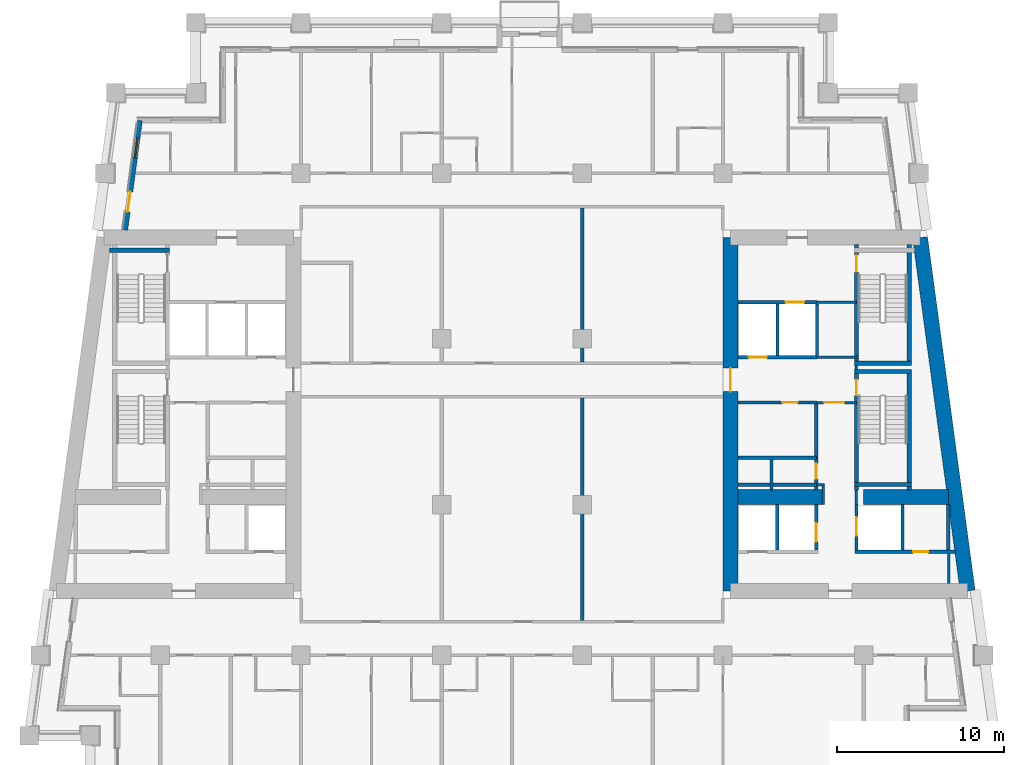
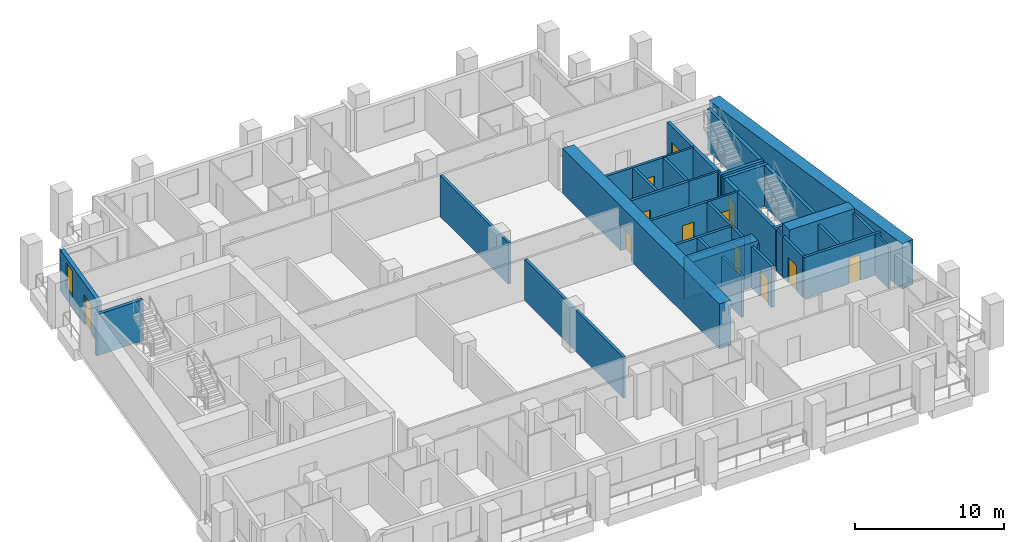
# One storey, part 5 of 12: 38 walls, 12 doors, 1 window, 13 openings.
"""IFC4 building model written with IfcOpenShell, lengths in metres."""

from ifc_helpers import new_model, si_unit, direction, frame, frame_2d, origin, place, context, subcontext, project, spatial, rectangle, extrude, material, layer, layer_set, type_object, element, fill, save


model = new_model("IFC4")

# Units and contexts
model_context = context("Model", 3, precision=1e-05, world=origin(), true_north=direction((0.0, 1.0)))
body_context = subcontext(model_context, "Body", "Model", "MODEL_VIEW")
ifc_project = project(units=[si_unit("LENGTHUNIT", "METRE"), si_unit("AREAUNIT", "SQUARE_METRE"), si_unit("VOLUMEUNIT", "CUBIC_METRE"), si_unit("PLANEANGLEUNIT", "RADIAN"), si_unit("MASSUNIT", "GRAM", prefix="KILO")], contexts=[model_context])

# Site, building, storey
site_placement = place(None, origin())
site = spatial("IfcSite", under=ifc_project, at=site_placement, CompositionType="ELEMENT")
building_placement = place(site_placement, origin())
building = spatial("IfcBuilding", under=site, at=building_placement, Name="Candeia Pilgrim Tower and Theatre", CompositionType="ELEMENT")
storey_placement = place(building_placement, frame((0.0, 0.0, 166.300048828125)))
storey = spatial("IfcBuildingStorey", under=building, at=storey_placement, Name="L39", CompositionType="ELEMENT", Elevation=166.300048828125)

# Wall
ifc_material_1 = material(Name="Concrete C60/75", Category="concrete")
ifc_layer_1 = layer(ifc_material_1, 0.89990234375)
ifc_layer_set_1 = layer_set([ifc_layer_1], Name="Core wall 900 C60/75")
wall_type_1 = type_object("IfcWallType", Name="Core wall 900 C60/75", PredefinedType="SHEAR", material=ifc_layer_set_1)
wall_1_placement = place(storey_placement, frame((137.775634765625, 131.949951171875, 0.0), z_axis=(0.0, 0.0, 1.0), x_axis=(0.133421759112, -0.991059349482, 0.0)))
element("IfcWall", 1, at=wall_1_placement, inside=storey, type_object=wall_type_1, Name="Core wall E2", PredefinedType="SHEAR", context=body_context, shape_type="SweptSolid", body=[
    extrude(rectangle(XDim=21.290283203125, YDim=0.89990234375, at=frame_2d((10.64501953125, 0.0))), origin(), (0.0, 0.0, 1.0), 3.699951171875),
])

# Wall, opening, door
wall_2_placement = place(storey_placement, frame((126.449951171875, 110.85009765625, 0.0), z_axis=(0.0, 0.0, 1.0), x_axis=(0.0, 1.0, 0.0)))
wall_2 = element("IfcWall", 2, at=wall_2_placement, inside=storey, type_object=wall_type_1, Name="Core wall E4", PredefinedType="SHEAR", context=body_context, shape_type="SweptSolid", body=[
    extrude(rectangle(XDim=21.099853515625, YDim=0.89990234375, at=frame_2d((10.5498046875, 0.0))), origin(), (0.0, 0.0, 1.0), 3.699951171875),
])
opening_1_placement = place(wall_2_placement, frame((11.89990234375, 0.0, 0.0)))
opening_1 = element("IfcOpeningElement", 3, at=opening_1_placement, cuts=wall_2, Name="Opening L39-D057", PredefinedType="OPENING", context=body_context, shape_type="SweptSolid", body=[
    extrude(rectangle(XDim=1.39990234375, YDim=2.10009765625, at=frame_2d((0.699951171875, 1.050048828125))), frame((0.0, 0.4599609375, 0.0), z_axis=(0.0, -1.0, 0.0), x_axis=(1.0, 0.0, 0.0)), (0.0, 0.0, 1.0), 0.919921875),
])
ifc_material_2 = material(Name="Steel fire door set", Category="steel")
door_type_1 = type_object("IfcDoorType", Name="D-1400-FD60", OperationType="NOTDEFINED", PredefinedType="DOOR", material=ifc_material_2)
door_1_placement = place(opening_1_placement, origin())
door_1 = element("IfcDoor", 4, at=door_1_placement, inside=storey, type_object=door_type_1, Name="Door L39-D057", OperationType="SINGLE_SWING_RIGHT", OverallHeight=2.10009765625, OverallWidth=1.39990234375, PredefinedType="DOOR", context=body_context, shape_type="SweptSolid", body=[
    extrude(rectangle(XDim=1.39990234375, YDim=2.10009765625, at=frame_2d((0.699951171875, 1.050048828125))), frame((0.0, 0.02490234375, 0.0), z_axis=(0.0, -1.0, 0.0), x_axis=(1.0, 0.0, 0.0)), (0.0, 0.0, 1.0), 0.050048828125),
])
fill(opening_1, door_1)

# Walls
wall_3_placement = place(storey_placement, frame((126.89990234375, 116.449951171875, 0.0), z_axis=(0.0, 0.0, 1.0), x_axis=(1.0, 0.0, 0.0)))
element("IfcWall", 5, at=wall_3_placement, inside=storey, type_object=wall_type_1, Name="Core wall E5", PredefinedType="SHEAR", context=body_context, shape_type="SweptSolid", body=[
    extrude(rectangle(XDim=5.10009765625, YDim=0.89990234375, at=frame_2d((2.550048828125, 0.0))), origin(), (0.0, 0.0, 1.0), 3.699951171875),
])
wall_4_placement = place(storey_placement, frame((134.39990234375, 116.449951171875, 0.0), z_axis=(0.0, 0.0, 1.0), x_axis=(1.0, 0.0, 0.0)))
element("IfcWall", 6, at=wall_4_placement, inside=storey, type_object=wall_type_1, Name="Core wall E6", PredefinedType="SHEAR", context=body_context, shape_type="SweptSolid", body=[
    extrude(rectangle(XDim=5.076904296875, YDim=0.89990234375, at=frame_2d((2.53857421875, 0.0))), origin(), (0.0, 0.0, 1.0), 3.699951171875),
])

# Wall, openings, door, window
ifc_material_3 = material(Name="Ceramic block masonry", Category="masonry")
ifc_layer_2 = layer(ifc_material_3, 0.300048828125)
ifc_layer_set_2 = layer_set([ifc_layer_2], Name="EW1 glazing-line wall 300")
wall_type_2 = type_object("IfcWallType", Name="EW1 glazing-line wall 300", PredefinedType="SOLIDWALL", material=ifc_layer_set_2)
wall_5_placement = place(storey_placement, frame((91.177490234375, 138.949951171875, 0.0), z_axis=(0.0, 0.0, 1.0), x_axis=(-0.133426664613, -0.991058689065, 0.0)))
wall_5 = element("IfcWall", 7, at=wall_5_placement, inside=storey, type_object=wall_type_2, Name="External wall L39-9.0", PredefinedType="SOLIDWALL", context=body_context, shape_type="SweptSolid", body=[
    extrude(rectangle(XDim=6.609130859375, YDim=0.300048828125, at=frame_2d((3.3046875, 0.0))), origin(), (0.0, 0.0, 1.0), 3.3798828125),
])
opening_2_placement = place(wall_5_placement, frame((1.039306640625, 0.0, 0.89990234375)))
opening_2 = element("IfcOpeningElement", 8, at=opening_2_placement, cuts=wall_5, Name="Opening W-B", PredefinedType="OPENING", context=body_context, shape_type="SweptSolid", body=[
    extrude(rectangle(XDim=1.199951171875, YDim=2.10009765625, at=frame_2d((0.60009765625, 1.050048828125))), frame((0.0, 0.16015625, 0.0), z_axis=(0.0, -1.0, 0.0), x_axis=(1.0, 0.0, 0.0)), (0.0, 0.0, 1.0), 0.320068359375),
])
opening_3_placement = place(wall_5_placement, frame((4.293701171875, 0.0, 0.0)))
opening_3 = element("IfcOpeningElement", 9, at=opening_3_placement, cuts=wall_5, Name="Opening L39-ED379", PredefinedType="OPENING", context=body_context, shape_type="SweptSolid", body=[
    extrude(rectangle(XDim=1.199951171875, YDim=2.39990234375, at=frame_2d((0.60009765625, 1.199951171875))), frame((0.0, 0.16015625, 0.0), z_axis=(0.0, -1.0, 0.0), x_axis=(1.0, 0.0, 0.0)), (0.0, 0.0, 1.0), 0.320068359375),
])
ifc_material_4 = material(Name="Aluminium framed glazed door", Category="aluminium")
door_type_2 = type_object("IfcDoorType", Name="Loggia door 1200x2400", OperationType="DOUBLE_DOOR_SINGLE_SWING", PredefinedType="DOOR", material=ifc_material_4)
door_2_placement = place(opening_3_placement, origin())
door_2 = element("IfcDoor", 10, at=door_2_placement, inside=storey, type_object=door_type_2, Name="Loggia door L39-ED379", OperationType="DOUBLE_DOOR_SINGLE_SWING", OverallHeight=2.39990234375, OverallWidth=1.199951171875, PredefinedType="DOOR", context=body_context, shape_type="SweptSolid", body=[
    extrude(rectangle(XDim=1.199951171875, YDim=2.39990234375, at=frame_2d((0.60009765625, 1.199951171875))), frame((0.0, 0.02490234375, 0.0), z_axis=(0.0, -1.0, 0.0), x_axis=(1.0, 0.0, 0.0)), (0.0, 0.0, 1.0), 0.050048828125),
])
fill(opening_3, door_2)
ifc_material_5 = material(Name="Aluminium framed double glazing", Category="aluminium")
window_type = type_object("IfcWindowType", Name="W-B window 1200x2100", PartitioningType="SINGLE_PANEL", PredefinedType="WINDOW", material=ifc_material_5)
window_placement = place(opening_2_placement, origin())
window = element("IfcWindow", 11, at=window_placement, inside=storey, type_object=window_type, Name="Window W-B L39", OverallHeight=2.10009765625, OverallWidth=1.199951171875, PartitioningType="SINGLE_PANEL", PredefinedType="WINDOW", context=body_context, shape_type="SweptSolid", body=[
    extrude(rectangle(XDim=1.199951171875, YDim=2.10009765625, at=frame_2d((0.60009765625, 1.050048828125))), frame((0.0, 0.030029296875, 0.0), z_axis=(0.0, -1.0, 0.0), x_axis=(1.0, 0.0, 0.0)), (0.0, 0.0, 1.0), 0.06005859375),
])
fill(opening_2, window)

# Wall
ifc_material_6 = material(Name="Gypsum board partition on steel studs", Category="steel")
ifc_layer_3 = layer(ifc_material_6, 0.14990234375)
ifc_layer_set_3 = layer_set([ifc_layer_3], Name="PW-150 lobby wall")
wall_type_3 = type_object("IfcWallType", Name="PW-150 lobby wall", PredefinedType="PARTITIONING", material=ifc_layer_set_3)
wall_6_placement = place(storey_placement, frame((131.572998046875, 117.199951171875, 0.0), z_axis=(0.0, 0.0, 1.0), x_axis=(1.0, 0.0, 0.0)))
element("IfcWall", 12, at=wall_6_placement, inside=storey, type_object=wall_type_3, Name="Lobby wall L39-017", PredefinedType="PARTITIONING", context=body_context, shape_type="SweptSolid", body=[
    extrude(rectangle(XDim=0.501953125, YDim=0.14990234375, at=frame_2d((0.2509765625, 0.0))), origin(), (0.0, 0.0, 1.0), 3.3798828125),
])

# Wall, opening, door
wall_7_placement = place(storey_placement, frame((131.572998046875, 122.10009765625, 0.0), z_axis=(0.0, 0.0, 1.0), x_axis=(1.0, 0.0, 0.0)))
wall_7 = element("IfcWall", 13, at=wall_7_placement, inside=storey, type_object=wall_type_3, Name="Lobby wall L39-025", PredefinedType="PARTITIONING", context=body_context, shape_type="SweptSolid", body=[
    extrude(rectangle(XDim=2.39990234375, YDim=0.14990234375, at=frame_2d((1.199951171875, 0.0))), origin(), (0.0, 0.0, 1.0), 3.3798828125),
])
opening_4_placement = place(wall_7_placement, frame((0.47509765625, 0.0, 0.0)))
opening_4 = element("IfcOpeningElement", 14, at=opening_4_placement, cuts=wall_7, Name="Opening L39-D008", PredefinedType="OPENING", context=body_context, shape_type="SweptSolid", body=[
    extrude(rectangle(XDim=1.199951171875, YDim=2.10009765625, at=frame_2d((0.60009765625, 1.050048828125))), frame((0.0, 0.0849609375, 0.0), z_axis=(0.0, -1.0, 0.0), x_axis=(1.0, 0.0, 0.0)), (0.0, 0.0, 1.0), 0.169921875),
])
door_type_3 = type_object("IfcDoorType", Name="D-1200-FD60", OperationType="NOTDEFINED", PredefinedType="DOOR", material=ifc_material_2)
door_3_placement = place(opening_4_placement, origin())
door_3 = element("IfcDoor", 15, at=door_3_placement, inside=storey, type_object=door_type_3, Name="Door L39-D008", OperationType="SINGLE_SWING_RIGHT", OverallHeight=2.10009765625, OverallWidth=1.199951171875, PredefinedType="DOOR", context=body_context, shape_type="SweptSolid", body=[
    extrude(rectangle(XDim=1.199951171875, YDim=2.10009765625, at=frame_2d((0.60009765625, 1.050048828125))), frame((0.0, 0.02490234375, 0.0), z_axis=(0.0, -1.0, 0.0), x_axis=(1.0, 0.0, 0.0)), (0.0, 0.0, 1.0), 0.050048828125),
])
fill(opening_4, door_3)

# Walls
wall_8_placement = place(storey_placement, frame((131.615234375, 124.800048828125, 0.0), z_axis=(0.0, 0.0, 1.0), x_axis=(1.0, 0.0, 0.0)))
element("IfcWall", 16, at=wall_8_placement, inside=storey, type_object=wall_type_3, Name="Lobby wall L39-034", PredefinedType="PARTITIONING", context=body_context, shape_type="SweptSolid", body=[
    extrude(rectangle(XDim=2.482666015625, YDim=0.14990234375, at=frame_2d((1.2412109375, 0.0))), origin(), (0.0, 0.0, 1.0), 3.3798828125),
])
wall_9_placement = place(storey_placement, frame((131.615234375, 128.10009765625, 0.0), z_axis=(0.0, 0.0, 1.0), x_axis=(1.0, 0.0, 0.0)))
element("IfcWall", 17, at=wall_9_placement, inside=storey, type_object=wall_type_3, Name="Lobby wall L39-037", PredefinedType="PARTITIONING", context=body_context, shape_type="SweptSolid", body=[
    extrude(rectangle(XDim=2.357666015625, YDim=0.14990234375, at=frame_2d((1.1787109375, 0.0))), origin(), (0.0, 0.0, 1.0), 3.3798828125),
])
wall_10_placement = place(storey_placement, frame((132.0, 116.0, 0.0), z_axis=(0.0, 0.0, 1.0), x_axis=(0.0, 1.0, 0.0)))
element("IfcWall", 18, at=wall_10_placement, inside=storey, type_object=wall_type_3, Name="Lobby wall L39-105", PredefinedType="PARTITIONING", context=body_context, shape_type="SweptSolid", body=[
    extrude(rectangle(XDim=1.125, YDim=0.14990234375, at=frame_2d((0.5625, 0.0))), origin(), (0.0, 0.0, 1.0), 3.3798828125),
])
wall_11_placement = place(storey_placement, frame((133.972900390625, 116.0, 0.0), z_axis=(0.0, 0.0, 1.0), x_axis=(0.0, 1.0, 0.0)))
element("IfcWall", 19, at=wall_11_placement, inside=storey, type_object=wall_type_3, Name="Lobby wall L39-108", PredefinedType="PARTITIONING", context=body_context, shape_type="SweptSolid", body=[
    extrude(rectangle(XDim=0.8701171875, YDim=0.14990234375, at=frame_2d((0.43505859375, 0.0))), origin(), (0.0, 0.0, 1.0), 3.3798828125),
])
wall_12_placement = place(storey_placement, frame((133.972900390625, 124.074951171875, 0.0), z_axis=(0.0, 0.0, 1.0), x_axis=(0.0, 1.0, 0.0)))
element("IfcWall", 20, at=wall_12_placement, inside=storey, type_object=wall_type_3, Name="Lobby wall L39-109", PredefinedType="PARTITIONING", context=body_context, shape_type="SweptSolid", body=[
    extrude(rectangle(XDim=0.25, YDim=0.14990234375, at=frame_2d((0.125, 0.0))), origin(), (0.0, 0.0, 1.0), 3.3798828125),
])
wall_13_placement = place(storey_placement, frame((139.471923828125, 111.300048828125, 0.0), z_axis=(0.0, 0.0, 1.0), x_axis=(0.0, 1.0, 0.0)))
element("IfcWall", 21, at=wall_13_placement, inside=storey, type_object=wall_type_3, Name="Lobby wall L39-118", PredefinedType="PARTITIONING", context=body_context, shape_type="SweptSolid", body=[
    extrude(rectangle(XDim=1.800048828125, YDim=0.14990234375, at=frame_2d((0.89990234375, 0.0))), origin(), (0.0, 0.0, 1.0), 3.3798828125),
])
ifc_layer_4 = layer(ifc_material_6, 0.199951171875)
ifc_layer_set_4 = layer_set([ifc_layer_4], Name="PW-200 party wall")
wall_type_4 = type_object("IfcWallType", Name="PW-200 party wall", PredefinedType="PARTITIONING", material=ifc_layer_set_4)
wall_14_placement = place(storey_placement, frame((117.60009765625, 109.074951171875, 0.0), z_axis=(0.0, 0.0, 1.0), x_axis=(0.0, 1.0, 0.0)))
element("IfcWall", 22, at=wall_14_placement, inside=storey, type_object=wall_type_4, Name="Party wall L39-087", PredefinedType="PARTITIONING", context=body_context, shape_type="SweptSolid", body=[
    extrude(rectangle(XDim=13.300048828125, YDim=0.199951171875, at=frame_2d((6.64990234375, 0.0))), origin(), (0.0, 0.0, 1.0), 3.3798828125),
])
wall_15_placement = place(storey_placement, frame((117.60009765625, 124.52490234375, 0.0), z_axis=(0.0, 0.0, 1.0), x_axis=(0.0, 1.0, 0.0)))
element("IfcWall", 23, at=wall_15_placement, inside=storey, type_object=wall_type_4, Name="Party wall L39-088", PredefinedType="PARTITIONING", context=body_context, shape_type="SweptSolid", body=[
    extrude(rectangle(XDim=9.2001953125, YDim=0.199951171875, at=frame_2d((4.60009765625, 0.0))), origin(), (0.0, 0.0, 1.0), 3.3798828125),
])

# Wall, opening, door
ifc_material_7 = material(Name="Concrete C40/50", Category="concrete")
ifc_layer_5 = layer(ifc_material_7, 0.199951171875)
ifc_layer_set_5 = layer_set([ifc_layer_5], Name="SW-200 shaft wall")
wall_type_5 = type_object("IfcWallType", Name="SW-200 shaft wall", PredefinedType="PARTITIONING", material=ifc_layer_set_5)
wall_16_placement = place(storey_placement, frame((133.873046875, 113.199951171875, 0.0), z_axis=(0.0, 0.0, 1.0), x_axis=(1.0, 0.0, 0.0)))
wall_16 = element("IfcWall", 24, at=wall_16_placement, inside=storey, type_object=wall_type_5, Name="Shaft wall L39-013", PredefinedType="PARTITIONING", context=body_context, shape_type="SweptSolid", body=[
    extrude(rectangle(XDim=6.002685546875, YDim=0.199951171875, at=frame_2d((3.00146484375, 0.0))), origin(), (0.0, 0.0, 1.0), 3.3798828125),
])
opening_5_placement = place(wall_16_placement, frame((3.487060546875, 0.0, 0.0)))
opening_5 = element("IfcOpeningElement", 25, at=opening_5_placement, cuts=wall_16, Name="Opening L39-D013", PredefinedType="OPENING", context=body_context, shape_type="SweptSolid", body=[
    extrude(rectangle(XDim=0.89990234375, YDim=2.10009765625, at=frame_2d((0.449951171875, 1.050048828125))), frame((0.0, 0.10986328125, 0.0), z_axis=(0.0, -1.0, 0.0), x_axis=(1.0, 0.0, 0.0)), (0.0, 0.0, 1.0), 0.219970703125),
])
door_type_4 = type_object("IfcDoorType", Name="D-900-FD60", OperationType="NOTDEFINED", PredefinedType="DOOR", material=ifc_material_2)
door_4_placement = place(opening_5_placement, origin())
door_4 = element("IfcDoor", 26, at=door_4_placement, inside=storey, type_object=door_type_4, Name="Door L39-D013", OperationType="SINGLE_SWING_RIGHT", OverallHeight=2.10009765625, OverallWidth=0.89990234375, PredefinedType="DOOR", context=body_context, shape_type="SweptSolid", body=[
    extrude(rectangle(XDim=0.89990234375, YDim=2.10009765625, at=frame_2d((0.449951171875, 1.050048828125))), frame((0.0, 0.02490234375, 0.0), z_axis=(0.0, -1.0, 0.0), x_axis=(1.0, 0.0, 0.0)), (0.0, 0.0, 1.0), 0.050048828125),
])
fill(opening_5, door_4)

# Walls
for number, where, z_axis, x_axis, name in (
    (27, (126.89990234375, 117.199951171875, 0.0), (0.0, 0.0, 1.0), (1.0, 0.0, 0.0), "Shaft wall L39-015"),
    (28, (126.89990234375, 118.800048828125, 0.0), (0.0, 0.0, 1.0), (1.0, 0.0, 0.0), "Shaft wall L39-021"),
):
    element("IfcWall", number, at=place(storey_placement, frame(where, z_axis=z_axis, x_axis=x_axis)), inside=storey, type_object=wall_type_5, Name=name, PredefinedType="PARTITIONING", context=body_context, shape_type="SweptSolid", body=[
        extrude(rectangle(XDim=4.673095703125, YDim=0.199951171875, at=frame_2d((2.33642578125, 0.0))), origin(), (0.0, 0.0, 1.0), 3.3798828125),
    ])

# Wall, opening, door
wall_17_placement = place(storey_placement, frame((126.89990234375, 122.10009765625, 0.0), z_axis=(0.0, 0.0, 1.0), x_axis=(1.0, 0.0, 0.0)))
wall_17 = element("IfcWall", 29, at=wall_17_placement, inside=storey, type_object=wall_type_5, Name="Shaft wall L39-023", PredefinedType="PARTITIONING", context=body_context, shape_type="SweptSolid", body=[
    extrude(rectangle(XDim=4.673095703125, YDim=0.199951171875, at=frame_2d((2.33642578125, 0.0))), origin(), (0.0, 0.0, 1.0), 3.3798828125),
])
opening_6_placement = place(wall_17_placement, frame((2.655029296875, 0.0, 0.0)))
opening_6 = element("IfcOpeningElement", 30, at=opening_6_placement, cuts=wall_17, Name="Opening L39-D009", PredefinedType="OPENING", context=body_context, shape_type="SweptSolid", body=[
    extrude(rectangle(XDim=0.89990234375, YDim=2.10009765625, at=frame_2d((0.449951171875, 1.050048828125))), frame((0.0, 0.10986328125, 0.0), z_axis=(0.0, -1.0, 0.0), x_axis=(1.0, 0.0, 0.0)), (0.0, 0.0, 1.0), 0.219970703125),
])
door_5_placement = place(opening_6_placement, origin())
door_5 = element("IfcDoor", 31, at=door_5_placement, inside=storey, type_object=door_type_4, Name="Door L39-D009", OperationType="SINGLE_SWING_LEFT", OverallHeight=2.10009765625, OverallWidth=0.89990234375, PredefinedType="DOOR", context=body_context, shape_type="SweptSolid", body=[
    extrude(rectangle(XDim=0.89990234375, YDim=2.10009765625, at=frame_2d((0.449951171875, 1.050048828125))), frame((0.0, 0.02490234375, 0.0), z_axis=(0.0, -1.0, 0.0), x_axis=(1.0, 0.0, 0.0)), (0.0, 0.0, 1.0), 0.050048828125),
])
fill(opening_6, door_5)

wall_18_placement = place(storey_placement, frame((126.89990234375, 124.800048828125, 0.0), z_axis=(0.0, 0.0, 1.0), x_axis=(1.0, 0.0, 0.0)))
wall_18 = element("IfcWall", 32, at=wall_18_placement, inside=storey, type_object=wall_type_5, Name="Shaft wall L39-033", PredefinedType="PARTITIONING", context=body_context, shape_type="SweptSolid", body=[
    extrude(rectangle(XDim=4.71533203125, YDim=0.199951171875, at=frame_2d((2.357666015625, 0.0))), origin(), (0.0, 0.0, 1.0), 3.3798828125),
])
opening_7_placement = place(wall_18_placement, frame((0.62890625, 0.0, 0.0)))
opening_7 = element("IfcOpeningElement", 33, at=opening_7_placement, cuts=wall_18, Name="Opening L39-LD05", PredefinedType="OPENING", context=body_context, shape_type="SweptSolid", body=[
    extrude(rectangle(XDim=1.10009765625, YDim=2.10009765625, at=frame_2d((0.550048828125, 1.050048828125))), frame((0.0, 0.10986328125, 0.0), z_axis=(0.0, -1.0, 0.0), x_axis=(1.0, 0.0, 0.0)), (0.0, 0.0, 1.0), 0.219970703125),
])
ifc_material_8 = material(Name="Glazed aluminium landing door", Category="aluminium")
door_type_5 = type_object("IfcDoorType", Name="LD-1100-EI120", OperationType="SLIDING_TO_LEFT", PredefinedType="DOOR", material=ifc_material_8)
door_6_placement = place(opening_7_placement, origin())
door_6 = element("IfcDoor", 34, at=door_6_placement, inside=storey, type_object=door_type_5, Name="Landing door 05 L39", OperationType="SLIDING_TO_LEFT", OverallHeight=2.10009765625, OverallWidth=1.10009765625, PredefinedType="DOOR", context=body_context, shape_type="SweptSolid", body=[
    extrude(rectangle(XDim=1.10009765625, YDim=2.10009765625, at=frame_2d((0.550048828125, 1.050048828125))), frame((0.0, 0.02490234375, 0.0), z_axis=(0.0, -1.0, 0.0), x_axis=(1.0, 0.0, 0.0)), (0.0, 0.0, 1.0), 0.050048828125),
])
fill(opening_7, door_6)

wall_19_placement = place(storey_placement, frame((126.89990234375, 128.10009765625, 0.0), z_axis=(0.0, 0.0, 1.0), x_axis=(1.0, 0.0, 0.0)))
wall_19 = element("IfcWall", 35, at=wall_19_placement, inside=storey, type_object=wall_type_5, Name="Shaft wall L39-036", PredefinedType="PARTITIONING", context=body_context, shape_type="SweptSolid", body=[
    extrude(rectangle(XDim=4.71533203125, YDim=0.199951171875, at=frame_2d((2.357666015625, 0.0))), origin(), (0.0, 0.0, 1.0), 3.3798828125),
])
opening_8_placement = place(wall_19_placement, frame((2.846923828125, 0.0, 0.0)))
opening_8 = element("IfcOpeningElement", 36, at=opening_8_placement, cuts=wall_19, Name="Opening L39-LD04", PredefinedType="OPENING", context=body_context, shape_type="SweptSolid", body=[
    extrude(rectangle(XDim=1.10009765625, YDim=2.10009765625, at=frame_2d((0.550048828125, 1.050048828125))), frame((0.0, 0.10986328125, 0.0), z_axis=(0.0, -1.0, 0.0), x_axis=(1.0, 0.0, 0.0)), (0.0, 0.0, 1.0), 0.219970703125),
])
door_7_placement = place(opening_8_placement, origin())
door_7 = element("IfcDoor", 37, at=door_7_placement, inside=storey, type_object=door_type_5, Name="Landing door 04 L39", OperationType="SLIDING_TO_LEFT", OverallHeight=2.10009765625, OverallWidth=1.10009765625, PredefinedType="DOOR", context=body_context, shape_type="SweptSolid", body=[
    extrude(rectangle(XDim=1.10009765625, YDim=2.10009765625, at=frame_2d((0.550048828125, 1.050048828125))), frame((0.0, 0.02490234375, 0.0), z_axis=(0.0, -1.0, 0.0), x_axis=(1.0, 0.0, 0.0)), (0.0, 0.0, 1.0), 0.050048828125),
])
fill(opening_8, door_7)

# Walls
wall_20_placement = place(storey_placement, frame((128.89990234375, 116.8701171875, 0.0), z_axis=(0.0, 0.0, 1.0), x_axis=(0.0, 1.0, 0.0)))
element("IfcWall", 38, at=wall_20_placement, inside=storey, type_object=wall_type_5, Name="Shaft wall L39-098", PredefinedType="PARTITIONING", context=body_context, shape_type="SweptSolid", body=[
    extrude(rectangle(XDim=1.829833984375, YDim=0.199951171875, at=frame_2d((0.9150390625, 0.0))), origin(), (0.0, 0.0, 1.0), 3.3798828125),
])
wall_21_placement = place(storey_placement, frame((129.236572265625, 113.300048828125, 0.0), z_axis=(0.0, 0.0, 1.0), x_axis=(0.0, 1.0, 0.0)))
element("IfcWall", 39, at=wall_21_placement, inside=storey, type_object=wall_type_5, Name="Shaft wall L39-099", PredefinedType="PARTITIONING", context=body_context, shape_type="SweptSolid", body=[
    extrude(rectangle(XDim=2.699951171875, YDim=0.199951171875, at=frame_2d((1.35009765625, 0.0))), origin(), (0.0, 0.0, 1.0), 3.3798828125),
])
wall_22_placement = place(storey_placement, frame((129.2578125, 124.89990234375, 0.0), z_axis=(0.0, 0.0, 1.0), x_axis=(0.0, 1.0, 0.0)))
element("IfcWall", 40, at=wall_22_placement, inside=storey, type_object=wall_type_5, Name="Shaft wall L39-100", PredefinedType="PARTITIONING", context=body_context, shape_type="SweptSolid", body=[
    extrude(rectangle(XDim=3.10009765625, YDim=0.199951171875, at=frame_2d((1.550048828125, 0.0))), origin(), (0.0, 0.0, 1.0), 3.3798828125),
])

# Wall, opening, door
wall_23_placement = place(storey_placement, frame((131.572998046875, 113.300048828125, 0.0), z_axis=(0.0, 0.0, 1.0), x_axis=(0.0, 1.0, 0.0)))
wall_23 = element("IfcWall", 41, at=wall_23_placement, inside=storey, type_object=wall_type_5, Name="Shaft wall L39-102", PredefinedType="PARTITIONING", context=body_context, shape_type="SweptSolid", body=[
    extrude(rectangle(XDim=2.699951171875, YDim=0.199951171875, at=frame_2d((1.35009765625, 0.0))), origin(), (0.0, 0.0, 1.0), 3.3798828125),
])
opening_9_placement = place(wall_23_placement, frame((0.5, 0.0, 0.0)))
opening_9 = element("IfcOpeningElement", 42, at=opening_9_placement, cuts=wall_23, Name="Opening L39-LD07", PredefinedType="OPENING", context=body_context, shape_type="SweptSolid", body=[
    extrude(rectangle(XDim=1.10009765625, YDim=2.10009765625, at=frame_2d((0.550048828125, 1.050048828125))), frame((0.0, 0.10986328125, 0.0), z_axis=(0.0, -1.0, 0.0), x_axis=(1.0, 0.0, 0.0)), (0.0, 0.0, 1.0), 0.219970703125),
])
door_8_placement = place(opening_9_placement, origin())
door_8 = element("IfcDoor", 43, at=door_8_placement, inside=storey, type_object=door_type_5, Name="Landing door 07 L39", OperationType="SLIDING_TO_LEFT", OverallHeight=2.10009765625, OverallWidth=1.10009765625, PredefinedType="DOOR", context=body_context, shape_type="SweptSolid", body=[
    extrude(rectangle(XDim=1.10009765625, YDim=2.10009765625, at=frame_2d((0.550048828125, 1.050048828125))), frame((0.0, 0.02490234375, 0.0), z_axis=(0.0, -1.0, 0.0), x_axis=(1.0, 0.0, 0.0)), (0.0, 0.0, 1.0), 0.050048828125),
])
fill(opening_9, door_8)

wall_24_placement = place(storey_placement, frame((131.572998046875, 116.8701171875, 0.0), z_axis=(0.0, 0.0, 1.0), x_axis=(0.0, 1.0, 0.0)))
wall_24 = element("IfcWall", 44, at=wall_24_placement, inside=storey, type_object=wall_type_5, Name="Shaft wall L39-103", PredefinedType="PARTITIONING", context=body_context, shape_type="SweptSolid", body=[
    extrude(rectangle(XDim=5.1298828125, YDim=0.199951171875, at=frame_2d((2.56494140625, 0.0))), origin(), (0.0, 0.0, 1.0), 3.3798828125),
])
opening_10_placement = place(wall_24_placement, frame((0.679931640625, 0.0, 0.0)))
opening_10 = element("IfcOpeningElement", 45, at=opening_10_placement, cuts=wall_24, Name="Opening L39-D012", PredefinedType="OPENING", context=body_context, shape_type="SweptSolid", body=[
    extrude(rectangle(XDim=0.89990234375, YDim=2.10009765625, at=frame_2d((0.449951171875, 1.050048828125))), frame((0.0, 0.10986328125, 0.0), z_axis=(0.0, -1.0, 0.0), x_axis=(1.0, 0.0, 0.0)), (0.0, 0.0, 1.0), 0.219970703125),
])
door_9_placement = place(opening_10_placement, origin())
door_9 = element("IfcDoor", 46, at=door_9_placement, inside=storey, type_object=door_type_4, Name="Door L39-D012", OperationType="SINGLE_SWING_RIGHT", OverallHeight=2.10009765625, OverallWidth=0.89990234375, PredefinedType="DOOR", context=body_context, shape_type="SweptSolid", body=[
    extrude(rectangle(XDim=0.89990234375, YDim=2.10009765625, at=frame_2d((0.449951171875, 1.050048828125))), frame((0.0, 0.02490234375, 0.0), z_axis=(0.0, -1.0, 0.0), x_axis=(1.0, 0.0, 0.0)), (0.0, 0.0, 1.0), 0.050048828125),
])
fill(opening_10, door_9)

# Wall
wall_25_placement = place(storey_placement, frame((131.615234375, 124.89990234375, 0.0), z_axis=(0.0, 0.0, 1.0), x_axis=(0.0, 1.0, 0.0)))
element("IfcWall", 47, at=wall_25_placement, inside=storey, type_object=wall_type_5, Name="Shaft wall L39-104", PredefinedType="PARTITIONING", context=body_context, shape_type="SweptSolid", body=[
    extrude(rectangle(XDim=3.10009765625, YDim=0.199951171875, at=frame_2d((1.550048828125, 0.0))), origin(), (0.0, 0.0, 1.0), 3.3798828125),
])

# Wall, opening, door
wall_26_placement = place(storey_placement, frame((133.972900390625, 113.300048828125, 0.0), z_axis=(0.0, 0.0, 1.0), x_axis=(0.0, 1.0, 0.0)))
wall_26 = element("IfcWall", 48, at=wall_26_placement, inside=storey, type_object=wall_type_5, Name="Shaft wall L39-107", PredefinedType="PARTITIONING", context=body_context, shape_type="SweptSolid", body=[
    extrude(rectangle(XDim=2.699951171875, YDim=0.199951171875, at=frame_2d((1.35009765625, 0.0))), origin(), (0.0, 0.0, 1.0), 3.3798828125),
])
opening_11_placement = place(wall_26_placement, frame((0.85009765625, 0.0, 0.0)))
opening_11 = element("IfcOpeningElement", 49, at=opening_11_placement, cuts=wall_26, Name="Opening L39-LD06", PredefinedType="OPENING", context=body_context, shape_type="SweptSolid", body=[
    extrude(rectangle(XDim=1.10009765625, YDim=2.10009765625, at=frame_2d((0.550048828125, 1.050048828125))), frame((0.0, 0.10986328125, 0.0), z_axis=(0.0, -1.0, 0.0), x_axis=(1.0, 0.0, 0.0)), (0.0, 0.0, 1.0), 0.219970703125),
])
door_10_placement = place(opening_11_placement, origin())
door_10 = element("IfcDoor", 50, at=door_10_placement, inside=storey, type_object=door_type_5, Name="Landing door 06 L39", OperationType="SLIDING_TO_LEFT", OverallHeight=2.10009765625, OverallWidth=1.10009765625, PredefinedType="DOOR", context=body_context, shape_type="SweptSolid", body=[
    extrude(rectangle(XDim=1.10009765625, YDim=2.10009765625, at=frame_2d((0.550048828125, 1.050048828125))), frame((0.0, 0.02490234375, 0.0), z_axis=(0.0, -1.0, 0.0), x_axis=(1.0, 0.0, 0.0)), (0.0, 0.0, 1.0), 0.050048828125),
])
fill(opening_11, door_10)

# Walls
for number, where, z_axis, x_axis, name in (
    (51, (136.722412109375, 113.300048828125, 0.0), (0.0, 0.0, 1.0), (0.0, 1.0, 0.0), "Shaft wall L39-113"),
    (52, (139.44970703125, 113.300048828125, 0.0), (0.0, 0.0, 1.0), (0.0, 1.0, 0.0), "Shaft wall L39-117"),
):
    element("IfcWall", number, at=place(storey_placement, frame(where, z_axis=z_axis, x_axis=x_axis)), inside=storey, type_object=wall_type_5, Name=name, PredefinedType="PARTITIONING", context=body_context, shape_type="SweptSolid", body=[
        extrude(rectangle(XDim=2.699951171875, YDim=0.199951171875, at=frame_2d((1.35009765625, 0.0))), origin(), (0.0, 0.0, 1.0), 3.3798828125),
    ])
ifc_layer_6 = layer(ifc_material_7, 0.25)
ifc_layer_set_6 = layer_set([ifc_layer_6], Name="SW-250 stair wall")
wall_type_6 = type_object("IfcWallType", Name="SW-250 stair wall", PredefinedType="PARTITIONING", material=ifc_layer_set_6)
for number, where, z_axis, x_axis, name in (
    (53, (133.847900390625, 117.199951171875, 0.0), (0.0, 0.0, 1.0), (1.0, 0.0, 0.0), "Stair wall L39-019"),
    (54, (133.847900390625, 123.949951171875, 0.0), (0.0, 0.0, 1.0), (1.0, 0.0, 0.0), "Stair wall L39-028"),
    (55, (133.847900390625, 124.449951171875, 0.0), (0.0, 0.0, 1.0), (1.0, 0.0, 0.0), "Stair wall L39-030"),
):
    element("IfcWall", number, at=place(storey_placement, frame(where, z_axis=z_axis, x_axis=x_axis)), inside=storey, type_object=wall_type_6, Name=name, PredefinedType="PARTITIONING", context=body_context, shape_type="SweptSolid", body=[
        extrude(rectangle(XDim=3.400146484375, YDim=0.25, at=frame_2d((1.7001953125, 0.0))), origin(), (0.0, 0.0, 1.0), 3.3798828125),
    ])
wall_27_placement = place(storey_placement, frame((89.347412109375, 131.199951171875, 0.0), z_axis=(0.0, 0.0, 1.0), x_axis=(1.0, 0.0, 0.0)))
element("IfcWall", 56, at=wall_27_placement, inside=storey, type_object=wall_type_6, Name="Stair wall L39-039", PredefinedType="PARTITIONING", context=body_context, shape_type="SweptSolid", body=[
    extrude(rectangle(XDim=3.6044921875, YDim=0.25, at=frame_2d((1.80224609375, 0.0))), origin(), (0.0, 0.0, 1.0), 3.3798828125),
])

# Wall, opening, door
wall_28_placement = place(storey_placement, frame((133.972900390625, 116.8701171875, 0.0), z_axis=(0.0, 0.0, 1.0), x_axis=(0.0, 1.0, 0.0)))
wall_28 = element("IfcWall", 57, at=wall_28_placement, inside=storey, type_object=wall_type_6, Name="Stair wall L39-110", PredefinedType="PARTITIONING", context=body_context, shape_type="SweptSolid", body=[
    extrude(rectangle(XDim=6.954833984375, YDim=0.25, at=frame_2d((3.4775390625, 0.0))), origin(), (0.0, 0.0, 1.0), 3.3798828125),
])
opening_12_placement = place(wall_28_placement, frame((5.655029296875, 0.0, 0.0)))
opening_12 = element("IfcOpeningElement", 58, at=opening_12_placement, cuts=wall_28, Name="Opening L39-D010", PredefinedType="OPENING", context=body_context, shape_type="SweptSolid", body=[
    extrude(rectangle(XDim=0.949951171875, YDim=2.10009765625, at=frame_2d((0.47509765625, 1.050048828125))), frame((0.0, 0.135009765625, 0.0), z_axis=(0.0, -1.0, 0.0), x_axis=(1.0, 0.0, 0.0)), (0.0, 0.0, 1.0), 0.27001953125),
])
door_type_6 = type_object("IfcDoorType", Name="D-950-FD60", OperationType="NOTDEFINED", PredefinedType="DOOR", material=ifc_material_2)
door_11_placement = place(opening_12_placement, origin())
door_11 = element("IfcDoor", 59, at=door_11_placement, inside=storey, type_object=door_type_6, Name="Door L39-D010", OperationType="SINGLE_SWING_RIGHT", OverallHeight=2.10009765625, OverallWidth=0.949951171875, PredefinedType="DOOR", context=body_context, shape_type="SweptSolid", body=[
    extrude(rectangle(XDim=0.949951171875, YDim=2.10009765625, at=frame_2d((0.47509765625, 1.050048828125))), frame((0.0, 0.02490234375, 0.0), z_axis=(0.0, -1.0, 0.0), x_axis=(1.0, 0.0, 0.0)), (0.0, 0.0, 1.0), 0.050048828125),
])
fill(opening_12, door_11)

wall_29_placement = place(storey_placement, frame((133.972900390625, 124.574951171875, 0.0), z_axis=(0.0, 0.0, 1.0), x_axis=(0.0, 1.0, 0.0)))
wall_29 = element("IfcWall", 60, at=wall_29_placement, inside=storey, type_object=wall_type_6, Name="Stair wall L39-111", PredefinedType="PARTITIONING", context=body_context, shape_type="SweptSolid", body=[
    extrude(rectangle(XDim=6.955078125, YDim=0.25, at=frame_2d((3.4775390625, 0.0))), origin(), (0.0, 0.0, 1.0), 3.3798828125),
])
opening_13_placement = place(wall_29_placement, frame((5.324951171875, 0.0, 0.0)))
opening_13 = element("IfcOpeningElement", 61, at=opening_13_placement, cuts=wall_29, Name="Opening L39-D011", PredefinedType="OPENING", context=body_context, shape_type="SweptSolid", body=[
    extrude(rectangle(XDim=1.0, YDim=2.10009765625, at=frame_2d((0.5, 1.050048828125))), frame((0.0, 0.135009765625, 0.0), z_axis=(0.0, -1.0, 0.0), x_axis=(1.0, 0.0, 0.0)), (0.0, 0.0, 1.0), 0.27001953125),
])
door_type_7 = type_object("IfcDoorType", Name="D-1000-FD60", OperationType="NOTDEFINED", PredefinedType="DOOR", material=ifc_material_2)
door_12_placement = place(opening_13_placement, origin())
door_12 = element("IfcDoor", 62, at=door_12_placement, inside=storey, type_object=door_type_7, Name="Door L39-D011", OperationType="SINGLE_SWING_LEFT", OverallHeight=2.10009765625, OverallWidth=1.0, PredefinedType="DOOR", context=body_context, shape_type="SweptSolid", body=[
    extrude(rectangle(XDim=1.0, YDim=2.10009765625, at=frame_2d((0.5, 1.050048828125))), frame((0.0, 0.02490234375, 0.0), z_axis=(0.0, -1.0, 0.0), x_axis=(1.0, 0.0, 0.0)), (0.0, 0.0, 1.0), 0.050048828125),
])
fill(opening_13, door_12)

# Walls
wall_30_placement = place(storey_placement, frame((137.123046875, 116.8701171875, 0.0), z_axis=(0.0, 0.0, 1.0), x_axis=(0.0, 1.0, 0.0)))
element("IfcWall", 63, at=wall_30_placement, inside=storey, type_object=wall_type_6, Name="Stair wall L39-114", PredefinedType="PARTITIONING", context=body_context, shape_type="SweptSolid", body=[
    extrude(rectangle(XDim=6.954833984375, YDim=0.25, at=frame_2d((3.4775390625, 0.0))), origin(), (0.0, 0.0, 1.0), 3.3798828125),
])
wall_31_placement = place(storey_placement, frame((137.123046875, 124.574951171875, 0.0), z_axis=(0.0, 0.0, 1.0), x_axis=(0.0, 1.0, 0.0)))
element("IfcWall", 64, at=wall_31_placement, inside=storey, type_object=wall_type_6, Name="Stair wall L39-115", PredefinedType="PARTITIONING", context=body_context, shape_type="SweptSolid", body=[
    extrude(rectangle(XDim=6.955078125, YDim=0.25, at=frame_2d((3.4775390625, 0.0))), origin(), (0.0, 0.0, 1.0), 3.3798828125),
])

save(model, "model.ifc")
